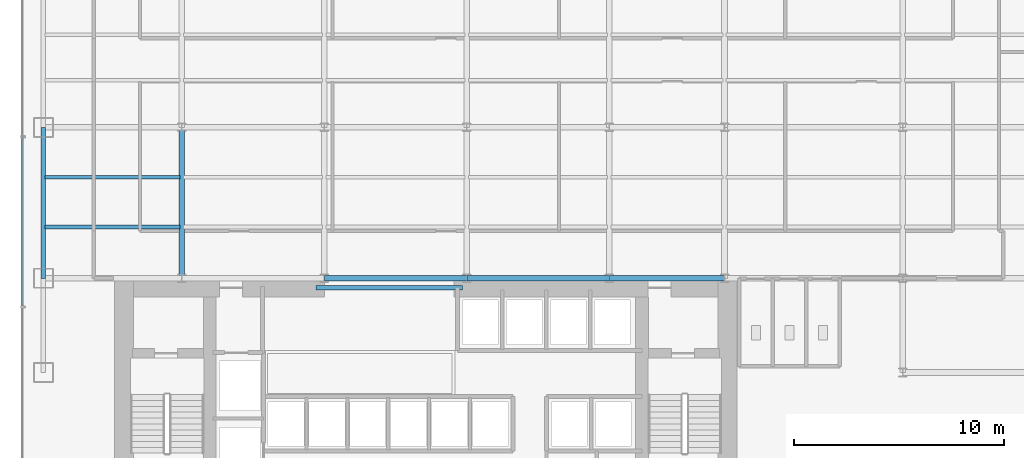
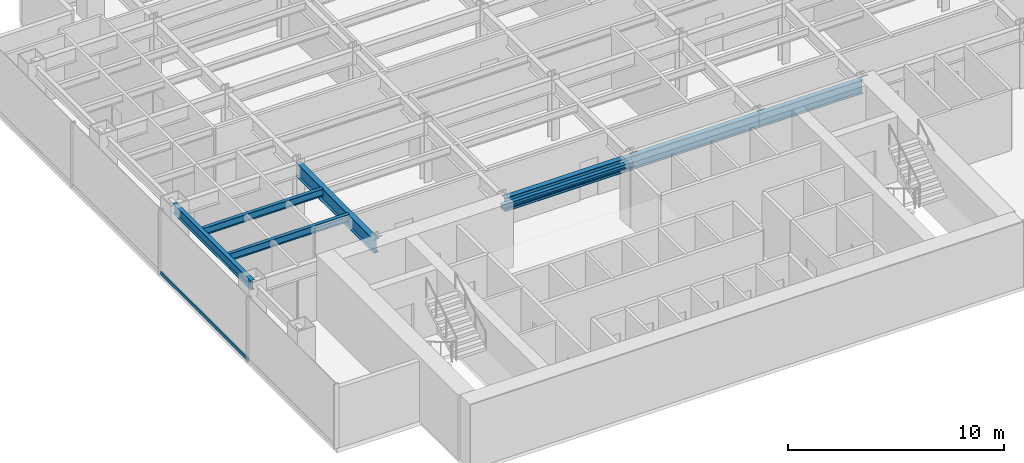
# One storey, part 3 of 23: 8 beams, 1 member, 1 element without a shape of its own.
"""IFC4 building model written with IfcOpenShell, lengths in metres."""

from ifc_helpers import new_model, si_unit, derived_unit, direction, frame, origin, origin_2d, place, context, subcontext, project, spatial, hollow_rectangle, i_section, extrude, source, transform, mapped, material, material_profile, profile_set, type_object, element, aggregate, save


model = new_model("IFC4")

# Units and contexts
model_context = context("Model", 3, precision=1e-05, world=origin(), true_north=direction((0.0, 1.0)))
body_context = subcontext(model_context, "Body", "Model", "MODEL_VIEW")
ifc_project = project(units=[si_unit("LENGTHUNIT", "METRE"), si_unit("AREAUNIT", "SQUARE_METRE"), si_unit("VOLUMEUNIT", "CUBIC_METRE"), si_unit("PLANEANGLEUNIT", "RADIAN"), si_unit("MASSUNIT", "GRAM", prefix="KILO"), derived_unit("THERMALTRANSMITTANCEUNIT", [(si_unit("POWERUNIT", "WATT"), 1), (si_unit("LENGTHUNIT", "METRE"), -2), (si_unit("THERMODYNAMICTEMPERATUREUNIT", "KELVIN"), -1)])], contexts=[model_context])

# Site, building, storey
site_placement = place(None, origin())
site = spatial("IfcSite", under=ifc_project, at=site_placement, CompositionType="ELEMENT")
building_placement = place(site_placement, origin())
building = spatial("IfcBuilding", under=site, at=building_placement, Name="Skarnbrae Concourse Arena and Tower", CompositionType="ELEMENT")
storey_placement = place(building_placement, frame((0.0, 0.0, 50.75)))
storey = spatial("IfcBuildingStorey", under=building, at=storey_placement, Name="L11", CompositionType="ELEMENT", Elevation=50.75)

# Beams
ifc_material_1 = material(Name="Steel CSA G40.21 350W", Category="steel")
ifc_material_profile_1 = material_profile(ifc_material_1, i_section(OverallWidth=0.202880859375, OverallDepth=0.251953125, WebThickness=0.008056640625, FlangeThickness=0.013427734375, at=origin_2d()), Name="W250X58")
ifc_profile_set_1 = profile_set([ifc_material_profile_1], Name="Steel CSA G40.21 350W")
beam_type_1 = type_object("IfcBeamType", Name="BM-LINTEL-W250X58", PredefinedType="LINTEL", material=ifc_profile_set_1)
shared_shape_1 = source(origin(), body_context, "Body", "SweptSolid", [
    extrude(i_section(OverallWidth=0.202880859375, OverallDepth=0.251953125, WebThickness=0.008056640625, FlangeThickness=0.013427734375, at=origin_2d()), origin(), (0.0, 0.0, 1.0), 7.0),
])
beam_1_placement = place(storey_placement, frame((14.0, 13.550048828125, 3.27392578125), z_axis=(1.0, 0.0, 0.0), x_axis=(0.0, 1.0, 0.0)))
element("IfcBeam", 1, at=beam_1_placement, inside=storey, type_object=beam_type_1, Name="L11 Core portal coupling lintel", PredefinedType="LINTEL", context=body_context, shape_type="MappedRepresentation", body=[
    mapped(shared_shape_1, transform((0.0, 0.0, 0.0))),
])
ifc_material_profile_2 = material_profile(ifc_material_1, i_section(OverallWidth=0.26806640625, OverallDepth=0.77001953125, WebThickness=0.015625, FlangeThickness=0.025390625, at=origin_2d()), Name="W760X196")
ifc_profile_set_2 = profile_set([ifc_material_profile_2], Name="Steel CSA G40.21 350W")
beam_type_2 = type_object("IfcBeamType", Name="BM-GIRD-W760X196", PredefinedType="BEAM", material=ifc_profile_set_2)
shared_shape_2 = source(origin(), body_context, "Body", "SweptSolid", [
    extrude(i_section(OverallWidth=0.26806640625, OverallDepth=0.77001953125, WebThickness=0.015625, FlangeThickness=0.025390625, at=origin_2d()), origin(), (0.0, 0.0, 1.0), 6.800048828125),
])
for number, where, z_axis, x_axis, name in (
    (2, (14.39990234375, 14.0, 3.014892578125), (1.0, 0.0, 0.0), (0.0, 1.0, 0.0), "L11 Primary E-W girder Y14.0-3"),
    (3, (21.199951171875, 14.0, 3.014892578125), (1.0, 0.0, 0.0), (0.0, 1.0, 0.0), "L11 Primary E-W girder Y14.0-4"),
):
    element("IfcBeam", number, at=place(storey_placement, frame(where, z_axis=z_axis, x_axis=x_axis)), inside=storey, type_object=beam_type_2, Name=name, PredefinedType="BEAM", context=body_context, shape_type="MappedRepresentation", body=[
        mapped(shared_shape_2, transform((0.0, 0.0, 0.0))),
    ])
shared_shape_3 = source(origin(), body_context, "Body", "SweptSolid", [
    extrude(i_section(OverallWidth=0.26806640625, OverallDepth=0.77001953125, WebThickness=0.015625, FlangeThickness=0.025390625, at=origin_2d()), origin(), (0.0, 0.0, 1.0), 5.5),
])
beam_2_placement = place(storey_placement, frame((28.0, 14.0, 3.014892578125), z_axis=(1.0, 0.0, 0.0), x_axis=(0.0, 1.0, 0.0)))
element("IfcBeam", 4, at=beam_2_placement, inside=storey, type_object=beam_type_2, Name="L11 Primary E-W girder Y14.0-5", PredefinedType="BEAM", context=body_context, shape_type="MappedRepresentation", body=[
    mapped(shared_shape_3, transform((0.0, 0.0, 0.0))),
])
ifc_material_profile_3 = material_profile(ifc_material_1, i_section(OverallWidth=0.214111328125, OverallDepth=0.549072265625, WebThickness=0.0146484375, FlangeThickness=0.023681640625, at=origin_2d()), Name="W530X138")
ifc_profile_set_3 = profile_set([ifc_material_profile_3], Name="Steel CSA G40.21 350W")
beam_type_3 = type_object("IfcBeamType", Name="BM-SPAN-W530X138", PredefinedType="SPANDREL", material=ifc_profile_set_3)
shared_shape_4 = source(origin(), body_context, "Body", "SweptSolid", [
    extrude(i_section(OverallWidth=0.214111328125, OverallDepth=0.549072265625, WebThickness=0.0146484375, FlangeThickness=0.023681640625, at=origin_2d()), origin(), (0.0, 0.0, 1.0), 7.199951171875),
])
beam_3_placement = place(storey_placement, frame((1.0, 14.0, 3.12548828125), z_axis=(0.0, 1.0, 0.0), x_axis=(-1.0, 0.0, 0.0)))
element("IfcBeam", 5, at=beam_3_placement, inside=storey, type_object=beam_type_3, Name="L11 Perimeter spandrel X1.0-2", PredefinedType="SPANDREL", context=body_context, shape_type="MappedRepresentation", body=[
    mapped(shared_shape_4, transform((0.0, 0.0, 0.0))),
])
shared_shape_5 = source(origin(), body_context, "Body", "SweptSolid", [
    extrude(i_section(OverallWidth=0.26806640625, OverallDepth=0.77001953125, WebThickness=0.015625, FlangeThickness=0.025390625, at=origin_2d()), origin(), (0.0, 0.0, 1.0), 7.199951171875),
])
beam_4_placement = place(storey_placement, frame((7.60009765625, 14.0, 3.014892578125), z_axis=(0.0, 1.0, 0.0), x_axis=(-1.0, 0.0, 0.0)))
element("IfcBeam", 6, at=beam_4_placement, inside=storey, type_object=beam_type_2, Name="L11 Primary N-S girder X7.6-1", PredefinedType="BEAM", context=body_context, shape_type="MappedRepresentation", body=[
    mapped(shared_shape_5, transform((0.0, 0.0, 0.0))),
])
ifc_material_profile_4 = material_profile(ifc_material_1, i_section(OverallWidth=0.180908203125, OverallDepth=0.4169921875, WebThickness=0.010986328125, FlangeThickness=0.018310546875, at=origin_2d()), Name="W410X85")
ifc_profile_set_4 = profile_set([ifc_material_profile_4], Name="Steel CSA G40.21 350W")
beam_type_4 = type_object("IfcBeamType", Name="BM-JOIST-W410X85", PredefinedType="JOIST", material=ifc_profile_set_4)
shared_shape_6 = source(origin(), body_context, "Body", "SweptSolid", [
    extrude(i_section(OverallWidth=0.180908203125, OverallDepth=0.4169921875, WebThickness=0.010986328125, FlangeThickness=0.018310546875, at=origin_2d()), origin(), (0.0, 0.0, 1.0), 6.43994140625),
])
for number, where, z_axis, x_axis, name in (
    (7, (1.080078125, 16.447998046875, 3.19140625), (1.0, 0.0, 0.0), (0.0, 1.0, 0.0), "L11 Secondary floor joist 1.1.1"),
    (8, (1.080078125, 18.823974609375, 3.19140625), (1.0, 0.0, 0.0), (0.0, 1.0, 0.0), "L11 Secondary floor joist 1.2.1"),
):
    element("IfcBeam", number, at=place(storey_placement, frame(where, z_axis=z_axis, x_axis=x_axis)), inside=storey, type_object=beam_type_4, Name=name, PredefinedType="JOIST", context=body_context, shape_type="MappedRepresentation", body=[
        mapped(shared_shape_6, transform((0.0, 0.0, 0.0))),
    ])

# Curtain wall, member
ifc_material_2 = material(Name="Bronze anodised aluminium 6063-T6", Category="aluminium")
curtain_wall_type = type_object("IfcCurtainWallType", Name="CW-SYS-02-LOWZONE", PredefinedType="USERDEFINED", material=ifc_material_2)
curtain_wall_placement = place(storey_placement, origin())
curtain_wall = element("IfcCurtainWall", 9, at=curtain_wall_placement, inside=storey, type_object=curtain_wall_type, Name="L11 Unitised curtain wall CW-L11-E19", ObjectType="UNITISED CURTAIN WALL", PredefinedType="USERDEFINED")
ifc_material_profile_5 = material_profile(ifc_material_2, hollow_rectangle(XDim=0.080078125, YDim=0.18994140625, WallThickness=0.0048828125, at=origin_2d()), Name="ALU-TRAN-80X190")
ifc_profile_set_5 = profile_set([ifc_material_profile_5], Name="Bronze anodised aluminium 6063-T6")
member_type = type_object("IfcMemberType", Name="CWT-CW-02", PredefinedType="USERDEFINED", material=ifc_profile_set_5)
shared_shape_7 = source(origin(), body_context, "Body", "SweptSolid", [
    extrude(hollow_rectangle(XDim=0.080078125, YDim=0.18994140625, WallThickness=0.0048828125, at=origin_2d()), origin(), (0.0, 0.0, 1.0), 8.044921875),
])
member_placement = place(storey_placement, frame((0.0, 20.7099609375, 0.094970703125), z_axis=(0.0, -1.0, 0.0), x_axis=(1.0, 0.0, 0.0)))
member = element("IfcMember", 10, at=member_placement, type_object=member_type, Name="CW-L11-E19 Transom 3", ObjectType="TRANSOM", PredefinedType="USERDEFINED", context=body_context, shape_type="MappedRepresentation", body=[
    mapped(shared_shape_7, transform((0.0, 0.0, 0.0))),
])
aggregate(curtain_wall, [member])

save(model, "model.ifc")
